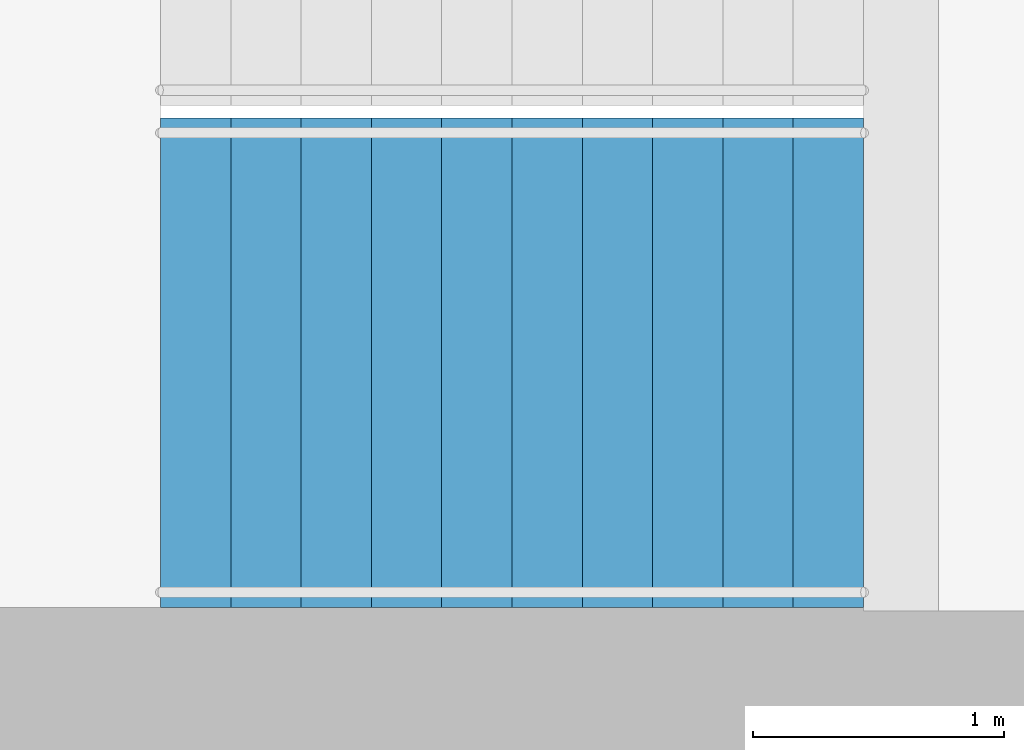
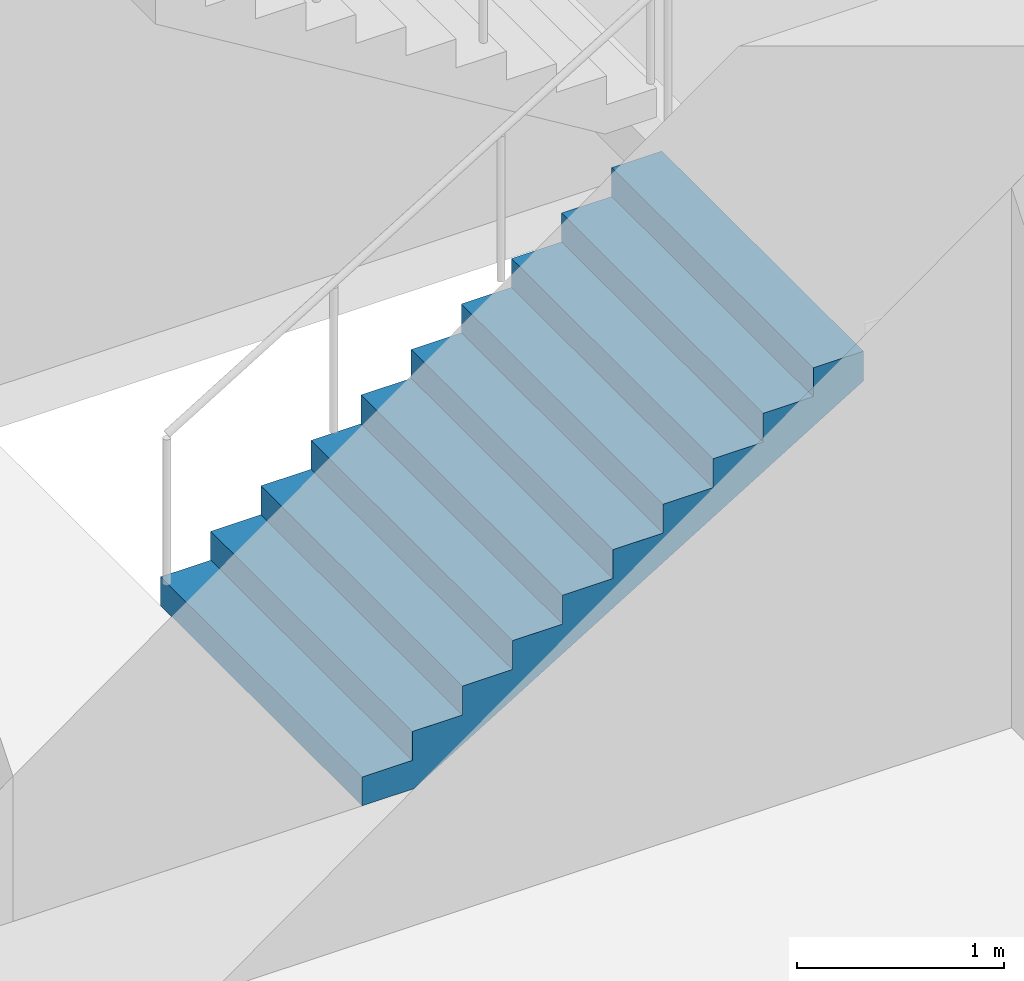
# One storey, part 19 of 23: 1 stair flight, 1 element without a shape of its own.
"""IFC4 building model written with IfcOpenShell, lengths in metres."""

from ifc_helpers import new_model, si_unit, direction, frame, origin, place, context, subcontext, project, spatial, triangles, material, type_object, element, aggregate, save


model = new_model("IFC4")

# Units and contexts
model_context = context("Model", 3, precision=1e-05, world=origin(), true_north=direction((0.0, 1.0)))
body_context = subcontext(model_context, "Body", "Model", "MODEL_VIEW")
ifc_project = project(units=[si_unit("LENGTHUNIT", "METRE"), si_unit("AREAUNIT", "SQUARE_METRE"), si_unit("VOLUMEUNIT", "CUBIC_METRE"), si_unit("PLANEANGLEUNIT", "RADIAN"), si_unit("MASSUNIT", "GRAM", prefix="KILO")], contexts=[model_context])

# Site, building, storey
site_placement = place(None, origin())
site = spatial("IfcSite", under=ifc_project, at=site_placement, CompositionType="ELEMENT")
building_placement = place(site_placement, origin())
building = spatial("IfcBuilding", under=site, at=building_placement, Name="Orbita Commons", CompositionType="ELEMENT")
storey_placement = place(building_placement, frame((0.0, 0.0, 50.199951171875)))
storey = spatial("IfcBuildingStorey", under=building, at=storey_placement, Name="L12", CompositionType="ELEMENT", Elevation=50.199951171875)

# Stair, stair flight
ifc_material_1 = material(Name="Precast concrete C40/50", Category="concrete")
stair_type = type_object("IfcStairType", Name="Exit stair S1 2 flights 11 risers 170", PredefinedType="HALF_TURN_STAIR", material=ifc_material_1)
stair_placement = place(storey_placement, origin())
stair = element("IfcStair", 1, at=stair_placement, inside=storey, type_object=stair_type, Name="Exit stair S1 L12", PredefinedType="HALF_TURN_STAIR")
ifc_material_2 = material(Name="Precast concrete C40/50", Category="concrete")
stair_flight_type = type_object("IfcStairFlightType", Name="Stair flight 11 risers 170 x 280", PredefinedType="STRAIGHT", material=ifc_material_2)
stair_flight_placement = place(storey_placement, frame((20.449951171875, 27.27490234375, 0.0), z_axis=(0.0, 0.0, 1.0), x_axis=(1.0, 0.0, 0.0)))
stair_flight = element("IfcStairFlight", 2, at=stair_flight_placement, type_object=stair_flight_type, Name="S1 flight 1", NumberOfRisers=11, NumberOfTreads=10, PredefinedType="STRAIGHT", RiserHeight=0.170454545, TreadLength=0.28, context=body_context, shape_type="Tessellation", body=[
    triangles([(0.0, 0.974976, 0.0), (0.0, 0.974976, 0.021307), (0.0, 0.81248, 0.021307), (0.0, 0.81248, 0.0), (0.0, 0.649984, 0.021307), (0.0, 0.649984, 0.0), (0.0, 0.487488, 0.021307), (0.0, 0.487488, 0.0), (0.0, 0.324992, 0.021307), (0.0, 0.324992, 0.0), (0.0, 0.162496, 0.021307), (0.0, 0.162496, 0.0), (0.0, 0.0, 0.021307), (0.0, 0.0, 0.0), (0.0, -0.162496, 0.021307), (0.0, -0.162496, 0.0), (0.0, -0.324992, 0.021307), (0.0, -0.324992, 0.0), (0.0, -0.487488, 0.021307), (0.0, -0.487488, 0.0), (0.0, -0.649984, 0.021307), (0.0, -0.649984, 0.0), (0.0, -0.81248, 0.021307), (0.0, -0.81248, 0.0), (0.0, -0.974976, 0.021307), (0.0, -0.974976, 0.0), (0.0, 0.974976, 0.042614), (0.0, 0.81248, 0.042614), (0.0, 0.649984, 0.042614), (0.0, 0.487488, 0.042614), (0.0, 0.324992, 0.042614), (0.0, 0.162496, 0.042614), (0.0, 0.0, 0.042614), (0.0, -0.162496, 0.042614), (0.0, -0.324992, 0.042614), (0.0, -0.487488, 0.042614), (0.0, -0.649984, 0.042614), (0.0, -0.81248, 0.042614), (0.0, -0.974976, 0.042614), (0.0, 0.974976, 0.06392), (0.0, 0.81248, 0.06392), (0.0, 0.649984, 0.06392), (0.0, 0.487488, 0.06392), (0.0, 0.324992, 0.06392), (0.0, 0.162496, 0.06392), (0.0, 0.0, 0.06392), (0.0, -0.162496, 0.06392), (0.0, -0.324992, 0.06392), (0.0, -0.487488, 0.06392), (0.0, -0.649984, 0.06392), (0.0, -0.81248, 0.06392), (0.0, -0.974976, 0.06392), (0.0, 0.974976, 0.085227), (0.0, 0.81248, 0.085227), (0.0, 0.649984, 0.085227), (0.0, 0.487488, 0.085227), (0.0, 0.324992, 0.085227), (0.0, 0.162496, 0.085227), (0.0, 0.0, 0.085227), (0.0, -0.162496, 0.085227), (0.0, -0.324992, 0.085227), (0.0, -0.487488, 0.085227), (0.0, -0.649984, 0.085227), (0.0, -0.81248, 0.085227), (0.0, -0.974976, 0.085227), (0.0, 0.974976, 0.106534), (0.0, 0.81248, 0.106534), (0.0, 0.649984, 0.106534), (0.0, 0.487488, 0.106534), (0.0, 0.324992, 0.106534), (0.0, 0.162496, 0.106534), (0.0, 0.0, 0.106534), (0.0, -0.162496, 0.106534), (0.0, -0.324992, 0.106534), (0.0, -0.487488, 0.106534), (0.0, -0.649984, 0.106534), (0.0, -0.81248, 0.106534), (0.0, -0.974976, 0.106534), (0.0, 0.974976, 0.127841), (0.0, 0.81248, 0.127841), (0.0, 0.649984, 0.127841), (0.0, 0.487488, 0.127841), (0.0, 0.324992, 0.127841), (0.0, 0.162496, 0.127841), (0.0, 0.0, 0.127841), (0.0, -0.162496, 0.127841), (0.0, -0.324992, 0.127841), (0.0, -0.487488, 0.127841), (0.0, -0.649984, 0.127841), (0.0, -0.81248, 0.127841), (0.0, -0.974976, 0.127841), (0.0, 0.974976, 0.149148), (0.0, 0.81248, 0.149148), (0.0, 0.649984, 0.149148), (0.0, 0.487488, 0.149148), (0.0, 0.324992, 0.149148), (0.0, 0.162496, 0.149148), (0.0, 0.0, 0.149148), (0.0, -0.162496, 0.149148), (0.0, -0.324992, 0.149148), (0.0, -0.487488, 0.149148), (0.0, -0.649984, 0.149148), (0.0, -0.81248, 0.149148), (0.0, -0.974976, 0.149148), (0.0, 0.974976, 0.170455), (0.0, 0.81248, 0.170455), (0.0, 0.649984, 0.170455), (0.0, 0.487488, 0.170455), (0.0, 0.324992, 0.170455), (0.0, 0.162496, 0.170455), (0.0, 0.0, 0.170455), (0.0, -0.162496, 0.170455), (0.0, -0.324992, 0.170455), (0.0, -0.487488, 0.170455), (0.0, -0.649984, 0.170455), (0.0, -0.81248, 0.170455), (0.0, -0.974976, 0.170455), (0.28, 0.974976, 0.170455), (0.28, 0.81248, 0.170455), (0.28, 0.649984, 0.170455), (0.28, 0.487488, 0.170455), (0.28, 0.324992, 0.170455), (0.28, 0.162496, 0.170455), (0.28, 0.0, 0.170455), (0.28, -0.162496, 0.170455), (0.28, -0.324992, 0.170455), (0.28, -0.487488, 0.170455), (0.28, -0.649984, 0.170455), (0.28, -0.81248, 0.170455), (0.28, -0.974976, 0.170455), (0.28, 0.974976, 0.340909), (0.28, 0.81248, 0.340909), (0.28, 0.649984, 0.340909), (0.28, 0.487488, 0.340909), (0.28, 0.324992, 0.340909), (0.28, 0.162496, 0.340909), (0.28, 0.0, 0.340909), (0.28, -0.162496, 0.340909), (0.28, -0.324992, 0.340909), (0.28, -0.487488, 0.340909), (0.28, -0.649984, 0.340909), (0.28, -0.81248, 0.340909), (0.28, -0.974976, 0.340909), (0.56, 0.974976, 0.340909), (0.56, 0.81248, 0.340909), (0.56, 0.649984, 0.340909), (0.56, 0.487488, 0.340909), (0.56, 0.324992, 0.340909), (0.56, 0.162496, 0.340909), (0.56, 0.0, 0.340909), (0.56, -0.162496, 0.340909), (0.56, -0.324992, 0.340909), (0.56, -0.487488, 0.340909), (0.56, -0.649984, 0.340909), (0.56, -0.81248, 0.340909), (0.56, -0.974976, 0.340909), (0.56, 0.974976, 0.511364), (0.56, 0.81248, 0.511364), (0.56, 0.649984, 0.511364), (0.56, 0.487488, 0.511364), (0.56, 0.324992, 0.511364), (0.56, 0.162496, 0.511364), (0.56, 0.0, 0.511364), (0.56, -0.162496, 0.511364), (0.56, -0.324992, 0.511364), (0.56, -0.487488, 0.511364), (0.56, -0.649984, 0.511364), (0.56, -0.81248, 0.511364), (0.56, -0.974976, 0.511364), (0.84, 0.974976, 0.511364), (0.84, 0.81248, 0.511364), (0.84, 0.649984, 0.511364), (0.84, 0.487488, 0.511364), (0.84, 0.324992, 0.511364), (0.84, 0.162496, 0.511364), (0.84, 0.0, 0.511364), (0.84, -0.162496, 0.511364), (0.84, -0.324992, 0.511364), (0.84, -0.487488, 0.511364), (0.84, -0.649984, 0.511364), (0.84, -0.81248, 0.511364), (0.84, -0.974976, 0.511364), (0.84, 0.974976, 0.681818), (0.84, 0.81248, 0.681818), (0.84, 0.649984, 0.681818), (0.84, 0.487488, 0.681818), (0.84, 0.324992, 0.681818), (0.84, 0.162496, 0.681818), (0.84, 0.0, 0.681818), (0.84, -0.162496, 0.681818), (0.84, -0.324992, 0.681818), (0.84, -0.487488, 0.681818), (0.84, -0.649984, 0.681818), (0.84, -0.81248, 0.681818), (0.84, -0.974976, 0.681818), (1.12, 0.974976, 0.681818), (1.12, 0.81248, 0.681818), (1.12, 0.649984, 0.681818), (1.12, 0.487488, 0.681818), (1.12, 0.324992, 0.681818), (1.12, 0.162496, 0.681818), (1.12, 0.0, 0.681818), (1.12, -0.162496, 0.681818), (1.12, -0.324992, 0.681818), (1.12, -0.487488, 0.681818), (1.12, -0.649984, 0.681818), (1.12, -0.81248, 0.681818), (1.12, -0.974976, 0.681818), (1.12, 0.974976, 0.852273), (1.12, 0.81248, 0.852273), (1.12, 0.649984, 0.852273), (1.12, 0.487488, 0.852273), (1.12, 0.324992, 0.852273), (1.12, 0.162496, 0.852273), (1.12, 0.0, 0.852273), (1.12, -0.162496, 0.852273), (1.12, -0.324992, 0.852273), (1.12, -0.487488, 0.852273), (1.12, -0.649984, 0.852273), (1.12, -0.81248, 0.852273), (1.12, -0.974976, 0.852273), (1.4, 0.974976, 0.852273), (1.4, 0.81248, 0.852273), (1.4, 0.649984, 0.852273), (1.4, 0.487488, 0.852273), (1.4, 0.324992, 0.852273), (1.4, 0.162496, 0.852273), (1.4, 0.0, 0.852273), (1.4, -0.162496, 0.852273), (1.4, -0.324992, 0.852273), (1.4, -0.487488, 0.852273), (1.4, -0.649984, 0.852273), (1.4, -0.81248, 0.852273), (1.4, -0.974976, 0.852273), (1.4, 0.974976, 1.022727), (1.4, 0.81248, 1.022727), (1.4, 0.649984, 1.022727), (1.4, 0.487488, 1.022727), (1.4, 0.324992, 1.022727), (1.4, 0.162496, 1.022727), (1.4, 0.0, 1.022727), (1.4, -0.162496, 1.022727), (1.4, -0.324992, 1.022727), (1.4, -0.487488, 1.022727), (1.4, -0.649984, 1.022727), (1.4, -0.81248, 1.022727), (1.4, -0.974976, 1.022727), (1.68, 0.974976, 1.022727), (1.68, 0.81248, 1.022727), (1.68, 0.649984, 1.022727), (1.68, 0.487488, 1.022727), (1.68, 0.324992, 1.022727), (1.68, 0.162496, 1.022727), (1.68, 0.0, 1.022727), (1.68, -0.162496, 1.022727), (1.68, -0.324992, 1.022727), (1.68, -0.487488, 1.022727), (1.68, -0.649984, 1.022727), (1.68, -0.81248, 1.022727), (1.68, -0.974976, 1.022727), (1.68, 0.974976, 1.193182), (1.68, 0.81248, 1.193182), (1.68, 0.649984, 1.193182), (1.68, 0.487488, 1.193182), (1.68, 0.324992, 1.193182), (1.68, 0.162496, 1.193182), (1.68, 0.0, 1.193182), (1.68, -0.162496, 1.193182), (1.68, -0.324992, 1.193182), (1.68, -0.487488, 1.193182), (1.68, -0.649984, 1.193182), (1.68, -0.81248, 1.193182), (1.68, -0.974976, 1.193182), (1.96, 0.974976, 1.193182), (1.96, 0.81248, 1.193182), (1.96, 0.649984, 1.193182), (1.96, 0.487488, 1.193182), (1.96, 0.324992, 1.193182), (1.96, 0.162496, 1.193182), (1.96, 0.0, 1.193182), (1.96, -0.162496, 1.193182), (1.96, -0.324992, 1.193182), (1.96, -0.487488, 1.193182), (1.96, -0.649984, 1.193182), (1.96, -0.81248, 1.193182), (1.96, -0.974976, 1.193182), (1.96, 0.974976, 1.363636), (1.96, 0.81248, 1.363636), (1.96, 0.649984, 1.363636), (1.96, 0.487488, 1.363636), (1.96, 0.324992, 1.363636), (1.96, 0.162496, 1.363636), (1.96, 0.0, 1.363636), (1.96, -0.162496, 1.363636), (1.96, -0.324992, 1.363636), (1.96, -0.487488, 1.363636), (1.96, -0.649984, 1.363636), (1.96, -0.81248, 1.363636), (1.96, -0.974976, 1.363636), (2.24, 0.974976, 1.363636), (2.24, 0.81248, 1.363636), (2.24, 0.649984, 1.363636), (2.24, 0.487488, 1.363636), (2.24, 0.324992, 1.363636), (2.24, 0.162496, 1.363636), (2.24, 0.0, 1.363636), (2.24, -0.162496, 1.363636), (2.24, -0.324992, 1.363636), (2.24, -0.487488, 1.363636), (2.24, -0.649984, 1.363636), (2.24, -0.81248, 1.363636), (2.24, -0.974976, 1.363636), (2.24, 0.974976, 1.534091), (2.24, 0.81248, 1.534091), (2.24, 0.649984, 1.534091), (2.24, 0.487488, 1.534091), (2.24, 0.324992, 1.534091), (2.24, 0.162496, 1.534091), (2.24, 0.0, 1.534091), (2.24, -0.162496, 1.534091), (2.24, -0.324992, 1.534091), (2.24, -0.487488, 1.534091), (2.24, -0.649984, 1.534091), (2.24, -0.81248, 1.534091), (2.24, -0.974976, 1.534091), (2.52, 0.974976, 1.534091), (2.52, 0.81248, 1.534091), (2.52, 0.649984, 1.534091), (2.52, 0.487488, 1.534091), (2.52, 0.324992, 1.534091), (2.52, 0.162496, 1.534091), (2.52, 0.0, 1.534091), (2.52, -0.162496, 1.534091), (2.52, -0.324992, 1.534091), (2.52, -0.487488, 1.534091), (2.52, -0.649984, 1.534091), (2.52, -0.81248, 1.534091), (2.52, -0.974976, 1.534091), (2.52, 0.974976, 1.704545), (2.52, 0.81248, 1.704545), (2.52, 0.649984, 1.704545), (2.52, 0.487488, 1.704545), (2.52, 0.324992, 1.704545), (2.52, 0.162496, 1.704545), (2.52, 0.0, 1.704545), (2.52, -0.162496, 1.704545), (2.52, -0.324992, 1.704545), (2.52, -0.487488, 1.704545), (2.52, -0.649984, 1.704545), (2.52, -0.81248, 1.704545), (2.52, -0.974976, 1.704545), (2.8, 0.974976, 1.704545), (2.8, 0.81248, 1.704545), (2.8, 0.649984, 1.704545), (2.8, 0.487488, 1.704545), (2.8, 0.324992, 1.704545), (2.8, 0.162496, 1.704545), (2.8, 0.0, 1.704545), (2.8, -0.162496, 1.704545), (2.8, -0.324992, 1.704545), (2.8, -0.487488, 1.704545), (2.8, -0.649984, 1.704545), (2.8, -0.81248, 1.704545), (2.8, -0.974976, 1.704545), (2.8, 0.974976, 1.682609), (2.8, 0.81248, 1.682609), (2.8, 0.649984, 1.682609), (2.8, 0.487488, 1.682609), (2.8, 0.324992, 1.682609), (2.8, 0.162496, 1.682609), (2.8, 0.0, 1.682609), (2.8, -0.162496, 1.682609), (2.8, -0.324992, 1.682609), (2.8, -0.487488, 1.682609), (2.8, -0.649984, 1.682609), (2.8, -0.81248, 1.682609), (2.8, -0.974976, 1.682609), (2.8, 0.974976, 1.660672), (2.8, 0.81248, 1.660672), (2.8, 0.649984, 1.660672), (2.8, 0.487488, 1.660672), (2.8, 0.324992, 1.660672), (2.8, 0.162496, 1.660672), (2.8, 0.0, 1.660672), (2.8, -0.162496, 1.660672), (2.8, -0.324992, 1.660672), (2.8, -0.487488, 1.660672), (2.8, -0.649984, 1.660672), (2.8, -0.81248, 1.660672), (2.8, -0.974976, 1.660672), (2.8, 0.974976, 1.638735), (2.8, 0.81248, 1.638735), (2.8, 0.649984, 1.638735), (2.8, 0.487488, 1.638735), (2.8, 0.324992, 1.638735), (2.8, 0.162496, 1.638735), (2.8, 0.0, 1.638735), (2.8, -0.162496, 1.638735), (2.8, -0.324992, 1.638735), (2.8, -0.487488, 1.638735), (2.8, -0.649984, 1.638735), (2.8, -0.81248, 1.638735), (2.8, -0.974976, 1.638735), (2.8, 0.974976, 1.616798), (2.8, 0.81248, 1.616798), (2.8, 0.649984, 1.616798), (2.8, 0.487488, 1.616798), (2.8, 0.324992, 1.616798), (2.8, 0.162496, 1.616798), (2.8, 0.0, 1.616798), (2.8, -0.162496, 1.616798), (2.8, -0.324992, 1.616798), (2.8, -0.487488, 1.616798), (2.8, -0.649984, 1.616798), (2.8, -0.81248, 1.616798), (2.8, -0.974976, 1.616798), (2.8, 0.974976, 1.594861), (2.8, 0.81248, 1.594861), (2.8, 0.649984, 1.594861), (2.8, 0.487488, 1.594861), (2.8, 0.324992, 1.594861), (2.8, 0.162496, 1.594861), (2.8, 0.0, 1.594861), (2.8, -0.162496, 1.594861), (2.8, -0.324992, 1.594861), (2.8, -0.487488, 1.594861), (2.8, -0.649984, 1.594861), (2.8, -0.81248, 1.594861), (2.8, -0.974976, 1.594861), (2.8, 0.974976, 1.572925), (2.8, 0.81248, 1.572925), (2.8, 0.649984, 1.572925), (2.8, 0.487488, 1.572925), (2.8, 0.324992, 1.572925), (2.8, 0.162496, 1.572925), (2.8, 0.0, 1.572925), (2.8, -0.162496, 1.572925), (2.8, -0.324992, 1.572925), (2.8, -0.487488, 1.572925), (2.8, -0.649984, 1.572925), (2.8, -0.81248, 1.572925), (2.8, -0.974976, 1.572925), (2.8, 0.974976, 1.550988), (2.8, 0.81248, 1.550988), (2.8, 0.649984, 1.550988), (2.8, 0.487488, 1.550988), (2.8, 0.324992, 1.550988), (2.8, 0.162496, 1.550988), (2.8, 0.0, 1.550988), (2.8, -0.162496, 1.550988), (2.8, -0.324992, 1.550988), (2.8, -0.487488, 1.550988), (2.8, -0.649984, 1.550988), (2.8, -0.81248, 1.550988), (2.8, -0.974976, 1.550988), (2.8, 0.974976, 1.529051), (2.8, 0.81248, 1.529051), (2.8, 0.649984, 1.529051), (2.8, 0.487488, 1.529051), (2.8, 0.324992, 1.529051), (2.8, 0.162496, 1.529051), (2.8, 0.0, 1.529051), (2.8, -0.162496, 1.529051), (2.8, -0.324992, 1.529051), (2.8, -0.487488, 1.529051), (2.8, -0.649984, 1.529051), (2.8, -0.81248, 1.529051), (2.8, -0.974976, 1.529051), (0.288279, 0.974976, 0.0), (0.288279, 0.81248, 0.0), (0.288279, 0.649984, 0.0), (0.288279, 0.487488, 0.0), (0.288279, 0.324992, 0.0), (0.288279, 0.162496, 0.0), (0.288279, 0.0, 0.0), (0.288279, -0.162496, 0.0), (0.288279, -0.324992, 0.0), (0.288279, -0.487488, 0.0), (0.288279, -0.649984, 0.0), (0.288279, -0.81248, 0.0), (0.288279, -0.974976, 0.0)], [[3, 2, 1], [4, 3, 1], [5, 3, 4], [6, 5, 4], [7, 5, 6], [8, 7, 6], [9, 7, 8], [10, 9, 8], [11, 9, 10], [12, 11, 10], [13, 11, 12], [14, 13, 12], [15, 13, 14], [16, 15, 14], [17, 15, 16], [18, 17, 16], [19, 17, 18], [20, 19, 18], [21, 19, 20], [22, 21, 20], [23, 21, 22], [24, 23, 22], [25, 23, 24], [26, 25, 24], [28, 27, 2], [3, 28, 2], [29, 28, 3], [5, 29, 3], [30, 29, 5], [7, 30, 5], [31, 30, 7], [9, 31, 7], [32, 31, 9], [11, 32, 9], [33, 32, 11], [13, 33, 11], [34, 33, 13], [15, 34, 13], [35, 34, 15], [17, 35, 15], [36, 35, 17], [19, 36, 17], [37, 36, 19], [21, 37, 19], [38, 37, 21], [23, 38, 21], [39, 38, 23], [25, 39, 23], [41, 40, 27], [28, 41, 27], [42, 41, 28], [29, 42, 28], [43, 42, 29], [30, 43, 29], [44, 43, 30], [31, 44, 30], [45, 44, 31], [32, 45, 31], [46, 45, 32], [33, 46, 32], [47, 46, 33], [34, 47, 33], [48, 47, 34], [35, 48, 34], [49, 48, 35], [36, 49, 35], [50, 49, 36], [37, 50, 36], [51, 50, 37], [38, 51, 37], [52, 51, 38], [39, 52, 38], [54, 53, 40], [41, 54, 40], [55, 54, 41], [42, 55, 41], [56, 55, 42], [43, 56, 42], [57, 56, 43], [44, 57, 43], [58, 57, 44], [45, 58, 44], [59, 58, 45], [46, 59, 45], [60, 59, 46], [47, 60, 46], [61, 60, 47], [48, 61, 47], [62, 61, 48], [49, 62, 48], [63, 62, 49], [50, 63, 49], [64, 63, 50], [51, 64, 50], [65, 64, 51], [52, 65, 51], [67, 66, 53], [54, 67, 53], [68, 67, 54], [55, 68, 54], [69, 68, 55], [56, 69, 55], [70, 69, 56], [57, 70, 56], [71, 70, 57], [58, 71, 57], [72, 71, 58], [59, 72, 58], [73, 72, 59], [60, 73, 59], [74, 73, 60], [61, 74, 60], [75, 74, 61], [62, 75, 61], [76, 75, 62], [63, 76, 62], [77, 76, 63], [64, 77, 63], [78, 77, 64], [65, 78, 64], [80, 79, 66], [67, 80, 66], [81, 80, 67], [68, 81, 67], [82, 81, 68], [69, 82, 68], [83, 82, 69], [70, 83, 69], [84, 83, 70], [71, 84, 70], [85, 84, 71], [72, 85, 71], [86, 85, 72], [73, 86, 72], [87, 86, 73], [74, 87, 73], [88, 87, 74], [75, 88, 74], [89, 88, 75], [76, 89, 75], [90, 89, 76], [77, 90, 76], [91, 90, 77], [78, 91, 77], [93, 92, 79], [80, 93, 79], [94, 93, 80], [81, 94, 80], [95, 94, 81], [82, 95, 81], [96, 95, 82], [83, 96, 82], [97, 96, 83], [84, 97, 83], [98, 97, 84], [85, 98, 84], [99, 98, 85], [86, 99, 85], [100, 99, 86], [87, 100, 86], [101, 100, 87], [88, 101, 87], [102, 101, 88], [89, 102, 88], [103, 102, 89], [90, 103, 89], [104, 103, 90], [91, 104, 90], [106, 105, 92], [93, 106, 92], [107, 106, 93], [94, 107, 93], [108, 107, 94], [95, 108, 94], [109, 108, 95], [96, 109, 95], [110, 109, 96], [97, 110, 96], [111, 110, 97], [98, 111, 97], [112, 111, 98], [99, 112, 98], [113, 112, 99], [100, 113, 99], [114, 113, 100], [101, 114, 100], [115, 114, 101], [102, 115, 101], [116, 115, 102], [103, 116, 102], [117, 116, 103], [104, 117, 103], [119, 118, 105], [106, 119, 105], [120, 119, 106], [107, 120, 106], [121, 120, 107], [108, 121, 107], [122, 121, 108], [109, 122, 108], [123, 122, 109], [110, 123, 109], [124, 123, 110], [111, 124, 110], [125, 124, 111], [112, 125, 111], [126, 125, 112], [113, 126, 112], [127, 126, 113], [114, 127, 113], [128, 127, 114], [115, 128, 114], [129, 128, 115], [116, 129, 115], [130, 129, 116], [117, 130, 116], [132, 131, 118], [119, 132, 118], [133, 132, 119], [120, 133, 119], [134, 133, 120], [121, 134, 120], [135, 134, 121], [122, 135, 121], [136, 135, 122], [123, 136, 122], [137, 136, 123], [124, 137, 123], [138, 137, 124], [125, 138, 124], [139, 138, 125], [126, 139, 125], [140, 139, 126], [127, 140, 126], [141, 140, 127], [128, 141, 127], [142, 141, 128], [129, 142, 128], [143, 142, 129], [130, 143, 129], [145, 144, 131], [132, 145, 131], [146, 145, 132], [133, 146, 132], [147, 146, 133], [134, 147, 133], [148, 147, 134], [135, 148, 134], [149, 148, 135], [136, 149, 135], [150, 149, 136], [137, 150, 136], [151, 150, 137], [138, 151, 137], [152, 151, 138], [139, 152, 138], [153, 152, 139], [140, 153, 139], [154, 153, 140], [141, 154, 140], [155, 154, 141], [142, 155, 141], [156, 155, 142], [143, 156, 142], [158, 157, 144], [145, 158, 144], [159, 158, 145], [146, 159, 145], [160, 159, 146], [147, 160, 146], [161, 160, 147], [148, 161, 147], [162, 161, 148], [149, 162, 148], [163, 162, 149], [150, 163, 149], [164, 163, 150], [151, 164, 150], [165, 164, 151], [152, 165, 151], [166, 165, 152], [153, 166, 152], [167, 166, 153], [154, 167, 153], [168, 167, 154], [155, 168, 154], [169, 168, 155], [156, 169, 155], [171, 170, 157], [158, 171, 157], [172, 171, 158], [159, 172, 158], [173, 172, 159], [160, 173, 159], [174, 173, 160], [161, 174, 160], [175, 174, 161], [162, 175, 161], [176, 175, 162], [163, 176, 162], [177, 176, 163], [164, 177, 163], [178, 177, 164], [165, 178, 164], [179, 178, 165], [166, 179, 165], [180, 179, 166], [167, 180, 166], [181, 180, 167], [168, 181, 167], [182, 181, 168], [169, 182, 168], [184, 183, 170], [171, 184, 170], [185, 184, 171], [172, 185, 171], [186, 185, 172], [173, 186, 172], [187, 186, 173], [174, 187, 173], [188, 187, 174], [175, 188, 174], [189, 188, 175], [176, 189, 175], [190, 189, 176], [177, 190, 176], [191, 190, 177], [178, 191, 177], [192, 191, 178], [179, 192, 178], [193, 192, 179], [180, 193, 179], [194, 193, 180], [181, 194, 180], [195, 194, 181], [182, 195, 181], [197, 196, 183], [184, 197, 183], [198, 197, 184], [185, 198, 184], [199, 198, 185], [186, 199, 185], [200, 199, 186], [187, 200, 186], [201, 200, 187], [188, 201, 187], [202, 201, 188], [189, 202, 188], [203, 202, 189], [190, 203, 189], [204, 203, 190], [191, 204, 190], [205, 204, 191], [192, 205, 191], [206, 205, 192], [193, 206, 192], [207, 206, 193], [194, 207, 193], [208, 207, 194], [195, 208, 194], [210, 209, 196], [197, 210, 196], [211, 210, 197], [198, 211, 197], [212, 211, 198], [199, 212, 198], [213, 212, 199], [200, 213, 199], [214, 213, 200], [201, 214, 200], [215, 214, 201], [202, 215, 201], [216, 215, 202], [203, 216, 202], [217, 216, 203], [204, 217, 203], [218, 217, 204], [205, 218, 204], [219, 218, 205], [206, 219, 205], [220, 219, 206], [207, 220, 206], [221, 220, 207], [208, 221, 207], [223, 222, 209], [210, 223, 209], [224, 223, 210], [211, 224, 210], [225, 224, 211], [212, 225, 211], [226, 225, 212], [213, 226, 212], [227, 226, 213], [214, 227, 213], [228, 227, 214], [215, 228, 214], [229, 228, 215], [216, 229, 215], [230, 229, 216], [217, 230, 216], [231, 230, 217], [218, 231, 217], [232, 231, 218], [219, 232, 218], [233, 232, 219], [220, 233, 219], [234, 233, 220], [221, 234, 220], [236, 235, 222], [223, 236, 222], [237, 236, 223], [224, 237, 223], [238, 237, 224], [225, 238, 224], [239, 238, 225], [226, 239, 225], [240, 239, 226], [227, 240, 226], [241, 240, 227], [228, 241, 227], [242, 241, 228], [229, 242, 228], [243, 242, 229], [230, 243, 229], [244, 243, 230], [231, 244, 230], [245, 244, 231], [232, 245, 231], [246, 245, 232], [233, 246, 232], [247, 246, 233], [234, 247, 233], [249, 248, 235], [236, 249, 235], [250, 249, 236], [237, 250, 236], [251, 250, 237], [238, 251, 237], [252, 251, 238], [239, 252, 238], [253, 252, 239], [240, 253, 239], [254, 253, 240], [241, 254, 240], [255, 254, 241], [242, 255, 241], [256, 255, 242], [243, 256, 242], [257, 256, 243], [244, 257, 243], [258, 257, 244], [245, 258, 244], [259, 258, 245], [246, 259, 245], [260, 259, 246], [247, 260, 246], [262, 261, 248], [249, 262, 248], [263, 262, 249], [250, 263, 249], [264, 263, 250], [251, 264, 250], [265, 264, 251], [252, 265, 251], [266, 265, 252], [253, 266, 252], [267, 266, 253], [254, 267, 253], [268, 267, 254], [255, 268, 254], [269, 268, 255], [256, 269, 255], [270, 269, 256], [257, 270, 256], [271, 270, 257], [258, 271, 257], [272, 271, 258], [259, 272, 258], [273, 272, 259], [260, 273, 259], [275, 274, 261], [262, 275, 261], [276, 275, 262], [263, 276, 262], [277, 276, 263], [264, 277, 263], [278, 277, 264], [265, 278, 264], [279, 278, 265], [266, 279, 265], [280, 279, 266], [267, 280, 266], [281, 280, 267], [268, 281, 267], [282, 281, 268], [269, 282, 268], [283, 282, 269], [270, 283, 269], [284, 283, 270], [271, 284, 270], [285, 284, 271], [272, 285, 271], [286, 285, 272], [273, 286, 272], [288, 287, 274], [275, 288, 274], [289, 288, 275], [276, 289, 275], [290, 289, 276], [277, 290, 276], [291, 290, 277], [278, 291, 277], [292, 291, 278], [279, 292, 278], [293, 292, 279], [280, 293, 279], [294, 293, 280], [281, 294, 280], [295, 294, 281], [282, 295, 281], [296, 295, 282], [283, 296, 282], [297, 296, 283], [284, 297, 283], [298, 297, 284], [285, 298, 284], [299, 298, 285], [286, 299, 285], [301, 300, 287], [288, 301, 287], [302, 301, 288], [289, 302, 288], [303, 302, 289], [290, 303, 289], [304, 303, 290], [291, 304, 290], [305, 304, 291], [292, 305, 291], [306, 305, 292], [293, 306, 292], [307, 306, 293], [294, 307, 293], [308, 307, 294], [295, 308, 294], [309, 308, 295], [296, 309, 295], [310, 309, 296], [297, 310, 296], [311, 310, 297], [298, 311, 297], [312, 311, 298], [299, 312, 298], [314, 313, 300], [301, 314, 300], [315, 314, 301], [302, 315, 301], [316, 315, 302], [303, 316, 302], [317, 316, 303], [304, 317, 303], [318, 317, 304], [305, 318, 304], [319, 318, 305], [306, 319, 305], [320, 319, 306], [307, 320, 306], [321, 320, 307], [308, 321, 307], [322, 321, 308], [309, 322, 308], [323, 322, 309], [310, 323, 309], [324, 323, 310], [311, 324, 310], [325, 324, 311], [312, 325, 311], [327, 326, 313], [314, 327, 313], [328, 327, 314], [315, 328, 314], [329, 328, 315], [316, 329, 315], [330, 329, 316], [317, 330, 316], [331, 330, 317], [318, 331, 317], [332, 331, 318], [319, 332, 318], [333, 332, 319], [320, 333, 319], [334, 333, 320], [321, 334, 320], [335, 334, 321], [322, 335, 321], [336, 335, 322], [323, 336, 322], [337, 336, 323], [324, 337, 323], [338, 337, 324], [325, 338, 324], [340, 339, 326], [327, 340, 326], [341, 340, 327], [328, 341, 327], [342, 341, 328], [329, 342, 328], [343, 342, 329], [330, 343, 329], [344, 343, 330], [331, 344, 330], [345, 344, 331], [332, 345, 331], [346, 345, 332], [333, 346, 332], [347, 346, 333], [334, 347, 333], [348, 347, 334], [335, 348, 334], [349, 348, 335], [336, 349, 335], [350, 349, 336], [337, 350, 336], [351, 350, 337], [338, 351, 337], [353, 352, 339], [340, 353, 339], [354, 353, 340], [341, 354, 340], [355, 354, 341], [342, 355, 341], [356, 355, 342], [343, 356, 342], [357, 356, 343], [344, 357, 343], [358, 357, 344], [345, 358, 344], [359, 358, 345], [346, 359, 345], [360, 359, 346], [347, 360, 346], [361, 360, 347], [348, 361, 347], [362, 361, 348], [349, 362, 348], [363, 362, 349], [350, 363, 349], [364, 363, 350], [351, 364, 350], [366, 365, 352], [353, 366, 352], [367, 366, 353], [354, 367, 353], [368, 367, 354], [355, 368, 354], [369, 368, 355], [356, 369, 355], [370, 369, 356], [357, 370, 356], [371, 370, 357], [358, 371, 357], [372, 371, 358], [359, 372, 358], [373, 372, 359], [360, 373, 359], [374, 373, 360], [361, 374, 360], [375, 374, 361], [362, 375, 361], [376, 375, 362], [363, 376, 362], [377, 376, 363], [364, 377, 363], [379, 378, 365], [366, 379, 365], [380, 379, 366], [367, 380, 366], [381, 380, 367], [368, 381, 367], [382, 381, 368], [369, 382, 368], [383, 382, 369], [370, 383, 369], [384, 383, 370], [371, 384, 370], [385, 384, 371], [372, 385, 371], [386, 385, 372], [373, 386, 372], [387, 386, 373], [374, 387, 373], [388, 387, 374], [375, 388, 374], [389, 388, 375], [376, 389, 375], [390, 389, 376], [377, 390, 376], [392, 391, 378], [379, 392, 378], [393, 392, 379], [380, 393, 379], [394, 393, 380], [381, 394, 380], [395, 394, 381], [382, 395, 381], [396, 395, 382], [383, 396, 382], [397, 396, 383], [384, 397, 383], [398, 397, 384], [385, 398, 384], [399, 398, 385], [386, 399, 385], [400, 399, 386], [387, 400, 386], [401, 400, 387], [388, 401, 387], [402, 401, 388], [389, 402, 388], [403, 402, 389], [390, 403, 389], [405, 404, 391], [392, 405, 391], [406, 405, 392], [393, 406, 392], [407, 406, 393], [394, 407, 393], [408, 407, 394], [395, 408, 394], [409, 408, 395], [396, 409, 395], [410, 409, 396], [397, 410, 396], [411, 410, 397], [398, 411, 397], [412, 411, 398], [399, 412, 398], [413, 412, 399], [400, 413, 399], [414, 413, 400], [401, 414, 400], [415, 414, 401], [402, 415, 401], [416, 415, 402], [403, 416, 402], [418, 417, 404], [405, 418, 404], [419, 418, 405], [406, 419, 405], [420, 419, 406], [407, 420, 406], [421, 420, 407], [408, 421, 407], [422, 421, 408], [409, 422, 408], [423, 422, 409], [410, 423, 409], [424, 423, 410], [411, 424, 410], [425, 424, 411], [412, 425, 411], [426, 425, 412], [413, 426, 412], [427, 426, 413], [414, 427, 413], [428, 427, 414], [415, 428, 414], [429, 428, 415], [416, 429, 415], [431, 430, 417], [418, 431, 417], [432, 431, 418], [419, 432, 418], [433, 432, 419], [420, 433, 419], [434, 433, 420], [421, 434, 420], [435, 434, 421], [422, 435, 421], [436, 435, 422], [423, 436, 422], [437, 436, 423], [424, 437, 423], [438, 437, 424], [425, 438, 424], [439, 438, 425], [426, 439, 425], [440, 439, 426], [427, 440, 426], [441, 440, 427], [428, 441, 427], [442, 441, 428], [429, 442, 428], [444, 443, 430], [431, 444, 430], [445, 444, 431], [432, 445, 431], [446, 445, 432], [433, 446, 432], [447, 446, 433], [434, 447, 433], [448, 447, 434], [435, 448, 434], [449, 448, 435], [436, 449, 435], [450, 449, 436], [437, 450, 436], [451, 450, 437], [438, 451, 437], [452, 451, 438], [439, 452, 438], [453, 452, 439], [440, 453, 439], [454, 453, 440], [441, 454, 440], [455, 454, 441], [442, 455, 441], [457, 456, 443], [444, 457, 443], [458, 457, 444], [445, 458, 444], [459, 458, 445], [446, 459, 445], [460, 459, 446], [447, 460, 446], [461, 460, 447], [448, 461, 447], [462, 461, 448], [449, 462, 448], [463, 462, 449], [450, 463, 449], [464, 463, 450], [451, 464, 450], [465, 464, 451], [452, 465, 451], [466, 465, 452], [453, 466, 452], [467, 466, 453], [454, 467, 453], [468, 467, 454], [455, 468, 454], [470, 469, 456], [457, 470, 456], [471, 470, 457], [458, 471, 457], [472, 471, 458], [459, 472, 458], [473, 472, 459], [460, 473, 459], [474, 473, 460], [461, 474, 460], [475, 474, 461], [462, 475, 461], [476, 475, 462], [463, 476, 462], [477, 476, 463], [464, 477, 463], [478, 477, 464], [465, 478, 464], [479, 478, 465], [466, 479, 465], [480, 479, 466], [467, 480, 466], [481, 480, 467], [468, 481, 467], [4, 1, 469], [470, 4, 469], [6, 4, 470], [471, 6, 470], [8, 6, 471], [472, 8, 471], [10, 8, 472], [473, 10, 472], [12, 10, 473], [474, 12, 473], [14, 12, 474], [475, 14, 474], [16, 14, 475], [476, 16, 475], [18, 16, 476], [477, 18, 476], [20, 18, 477], [478, 20, 477], [22, 20, 478], [479, 22, 478], [24, 22, 479], [480, 24, 479], [26, 24, 480], [481, 26, 480], [456, 469, 1], [26, 481, 468], [443, 456, 1], [26, 468, 455], [430, 443, 1], [26, 455, 442], [417, 430, 1], [26, 442, 429], [404, 417, 1], [26, 429, 416], [391, 404, 1], [26, 416, 403], [378, 391, 1], [26, 403, 390], [365, 378, 1], [26, 390, 377], [339, 352, 365], [377, 364, 351], [326, 339, 365], [377, 351, 338], [300, 313, 326], [338, 325, 312], [300, 326, 365], [377, 338, 312], [274, 287, 300], [312, 299, 286], [274, 300, 365], [377, 312, 286], [248, 261, 274], [286, 273, 260], [248, 274, 365], [377, 286, 260], [222, 235, 248], [260, 247, 234], [222, 248, 365], [377, 260, 234], [196, 209, 222], [234, 221, 208], [196, 222, 365], [377, 234, 208], [170, 183, 196], [208, 195, 182], [170, 196, 365], [377, 208, 182], [144, 157, 170], [182, 169, 156], [144, 170, 365], [377, 182, 156], [118, 131, 144], [156, 143, 130], [118, 144, 365], [377, 156, 130], [118, 365, 1], [26, 377, 130], [92, 105, 118], [130, 117, 104], [79, 92, 118], [130, 104, 91], [66, 79, 118], [130, 91, 78], [53, 66, 118], [130, 78, 65], [40, 53, 118], [130, 65, 52], [27, 40, 118], [130, 52, 39], [2, 27, 118], [130, 39, 25], [1, 2, 118], [130, 25, 26]], closed=True),
])
aggregate(stair, [stair_flight])

save(model, "model.ifc")
